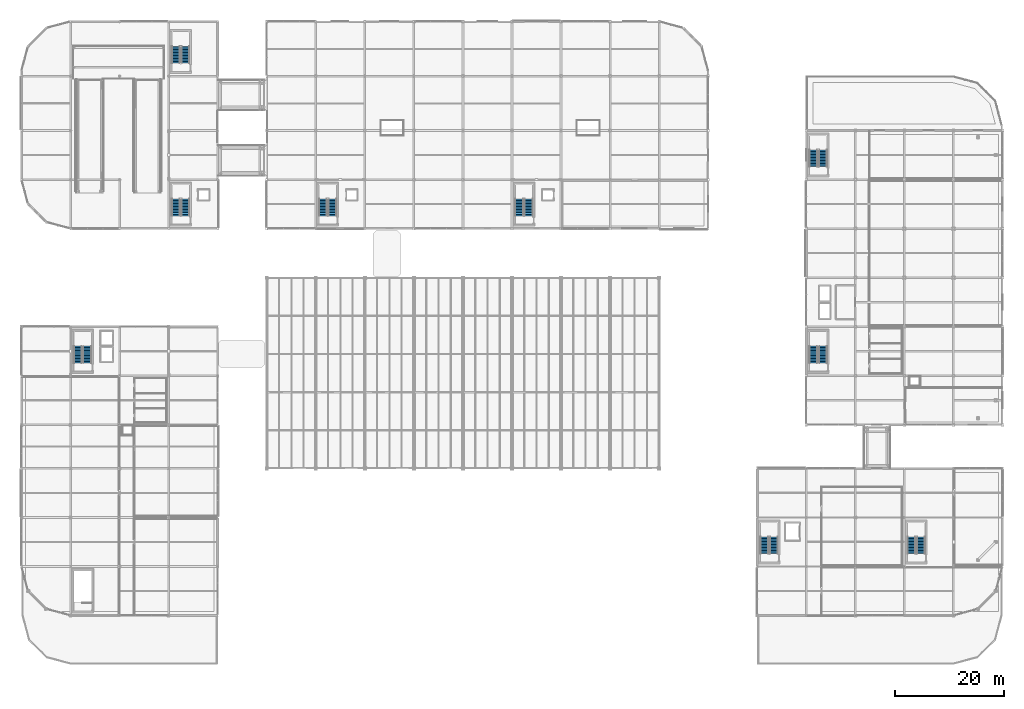
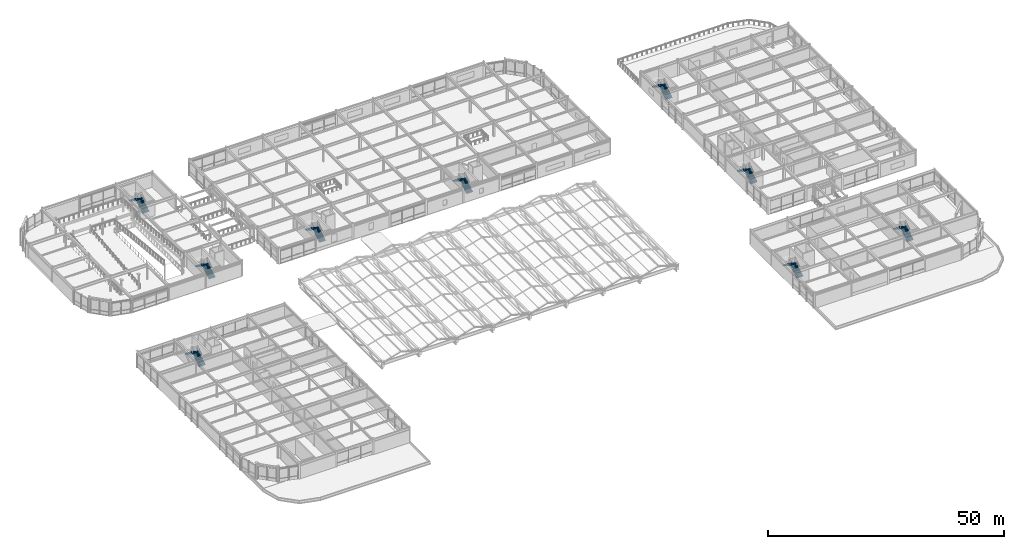
# One storey, part 84 of 108: 18 stair flights, 9 elements without a shape of their own.
"""IFC4 building model written with IfcOpenShell, lengths in metres."""

from ifc_helpers import new_model, si_unit, direction, frame, origin, place, context, subcontext, project, spatial, polyline, outline, extrude, material, type_object, element, aggregate, save


model = new_model("IFC4")

# Units and contexts
model_context = context("Model", 3, precision=1e-05, world=origin(), true_north=direction((0.0, 1.0)))
body_context = subcontext(model_context, "Body", "Model", "MODEL_VIEW")
ifc_project = project(units=[si_unit("LENGTHUNIT", "METRE"), si_unit("AREAUNIT", "SQUARE_METRE"), si_unit("VOLUMEUNIT", "CUBIC_METRE"), si_unit("PLANEANGLEUNIT", "RADIAN"), si_unit("MASSUNIT", "GRAM", prefix="KILO")], contexts=[model_context])

# Site, building, storey
site_placement = place(None, origin())
site = spatial("IfcSite", under=ifc_project, at=site_placement, CompositionType="ELEMENT")
building_placement = place(site_placement, origin())
building = spatial("IfcBuilding", under=site, at=building_placement, Name="Suzunagisa Mobility Hub", CompositionType="ELEMENT")
storey_placement = place(building_placement, frame((0.0, 0.0, 9.300048828125)))
storey = spatial("IfcBuildingStorey", under=building, at=storey_placement, Name="L02", CompositionType="ELEMENT", Elevation=9.300048828125)

# Stair, stair flights
ifc_material = material(Name="Concrete C35/45", Category="concrete")
stair_type_1 = type_object("IfcStairType", Name="Dog-Leg Core Escape Stair ST-01 W1560", PredefinedType="HALF_TURN_STAIR", material=ifc_material)
stair_1_placement = place(storey_placement, origin())
stair_1 = element("IfcStair", 1, at=stair_1_placement, inside=storey, type_object=stair_type_1, Name="L02 Core C1 Escape Stair ST-01", PredefinedType="HALF_TURN_STAIR")
stair_flight_type_1 = type_object("IfcStairFlightType", Name="Dog-Leg Core Stair Flight ST-01-F W1560", PredefinedType="STRAIGHT", material=ifc_material)
stair_flight_1_placement = place(storey_placement, frame((12.06005859375, 55.360107421875, 0.0), z_axis=(0.0, 0.0, 1.0), x_axis=(0.0, 1.0, 0.0)))
stair_flight_1 = element("IfcStairFlight", 2, at=stair_flight_1_placement, type_object=stair_flight_type_1, Name="ST-01 flight 1", NumberOfRisers=12, NumberOfTreads=11, PredefinedType="STRAIGHT", RiserHeight=0.175, TreadLength=0.28, context=body_context, shape_type="SweptSolid", body=[
    extrude(outline(polyline([(0.0, 0.0), (0.0, 0.175048828125), (0.280029296875, 0.175048828125), (0.280029296875, 0.35009765625), (0.56005859375, 0.35009765625), (0.56005859375, 0.52490234375), (0.840087890625, 0.52490234375), (0.840087890625, 0.699951171875), (1.1201171875, 0.699951171875), (1.1201171875, 0.875), (1.39990234375, 0.875), (1.39990234375, 1.050048828125), (1.679931640625, 1.050048828125), (1.679931640625, 1.22509765625), (1.9599609375, 1.22509765625), (1.9599609375, 1.39990234375), (2.239990234375, 1.39990234375), (2.239990234375, 1.574951171875), (2.52001953125, 1.574951171875), (2.52001953125, 1.75), (2.800048828125, 1.75), (2.800048828125, 1.925048828125), (3.080078125, 1.925048828125), (3.080078125, 2.10009765625), (3.080078125, 1.736328125), (0.3017578125, 0.0), (0.0, 0.0)])), frame((0.0, 0.780029296875, 0.0), z_axis=(0.0, -1.0, 0.0), x_axis=(1.0, 0.0, 0.0)), (0.0, 0.0, 1.0), 1.56005859375),
])
stair_flight_2_placement = place(storey_placement, frame((10.340087890625, 58.43994140625, 2.099853515625), z_axis=(0.0, 0.0, 1.0), x_axis=(0.0, -1.0, 0.0)))
stair_flight_2 = element("IfcStairFlight", 3, at=stair_flight_2_placement, type_object=stair_flight_type_1, Name="ST-01 flight 2", NumberOfRisers=12, NumberOfTreads=11, PredefinedType="STRAIGHT", RiserHeight=0.175, TreadLength=0.28, context=body_context, shape_type="SweptSolid", body=[
    extrude(outline(polyline([(0.0, 0.0), (0.0, 0.175048828125), (0.280029296875, 0.175048828125), (0.280029296875, 0.35009765625), (0.56005859375, 0.35009765625), (0.56005859375, 0.52490234375), (0.840087890625, 0.52490234375), (0.840087890625, 0.699951171875), (1.1201171875, 0.699951171875), (1.1201171875, 0.875), (1.39990234375, 0.875), (1.39990234375, 1.050048828125), (1.679931640625, 1.050048828125), (1.679931640625, 1.22509765625), (1.9599609375, 1.22509765625), (1.9599609375, 1.39990234375), (2.239990234375, 1.39990234375), (2.239990234375, 1.574951171875), (2.52001953125, 1.574951171875), (2.52001953125, 1.75), (2.800048828125, 1.75), (2.800048828125, 1.925048828125), (3.080078125, 1.925048828125), (3.080078125, 2.10009765625), (3.080078125, 1.736328125), (0.3017578125, 0.0), (0.0, 0.0)])), frame((0.0, 0.780029296875, 0.0), z_axis=(0.0, -1.0, 0.0), x_axis=(1.0, 0.0, 0.0)), (0.0, 0.0, 1.0), 1.56005859375),
])
aggregate(stair_1, [stair_flight_1, stair_flight_2])

stair_type_2 = type_object("IfcStairType", Name="Dog-Leg Core Escape Stair ST-05 W1560", PredefinedType="HALF_TURN_STAIR", material=ifc_material)
stair_2_placement = place(storey_placement, origin())
stair_2 = element("IfcStair", 4, at=stair_2_placement, inside=storey, type_object=stair_type_2, Name="L02 Core C6 Escape Stair ST-05", PredefinedType="HALF_TURN_STAIR")
stair_flight_type_2 = type_object("IfcStairFlightType", Name="Dog-Leg Core Stair Flight ST-05-F W1560", PredefinedType="STRAIGHT", material=ifc_material)
stair_flight_3_placement = place(storey_placement, frame((30.06005859375, 82.360107421875, 0.0), z_axis=(0.0, 0.0, 1.0), x_axis=(0.0, 1.0, 0.0)))
stair_flight_3 = element("IfcStairFlight", 5, at=stair_flight_3_placement, type_object=stair_flight_type_2, Name="ST-05 flight 1", NumberOfRisers=12, NumberOfTreads=11, PredefinedType="STRAIGHT", RiserHeight=0.175, TreadLength=0.28, context=body_context, shape_type="SweptSolid", body=[
    extrude(outline(polyline([(0.0, 0.0), (0.0, 0.175048828125), (0.280029296875, 0.175048828125), (0.280029296875, 0.35009765625), (0.56005859375, 0.35009765625), (0.56005859375, 0.52490234375), (0.840087890625, 0.52490234375), (0.840087890625, 0.699951171875), (1.1201171875, 0.699951171875), (1.1201171875, 0.875), (1.39990234375, 0.875), (1.39990234375, 1.050048828125), (1.679931640625, 1.050048828125), (1.679931640625, 1.22509765625), (1.9599609375, 1.22509765625), (1.9599609375, 1.39990234375), (2.239990234375, 1.39990234375), (2.239990234375, 1.574951171875), (2.52001953125, 1.574951171875), (2.52001953125, 1.75), (2.800048828125, 1.75), (2.800048828125, 1.925048828125), (3.080078125, 1.925048828125), (3.080078125, 2.10009765625), (3.080078125, 1.736328125), (0.3017578125, 0.0), (0.0, 0.0)])), frame((0.0, 0.780029296875, 0.0), z_axis=(0.0, -1.0, 0.0), x_axis=(1.0, 0.0, 0.0)), (0.0, 0.0, 1.0), 1.56005859375),
])
stair_flight_4_placement = place(storey_placement, frame((28.340087890625, 85.43994140625, 2.099853515625), z_axis=(0.0, 0.0, 1.0), x_axis=(0.0, -1.0, 0.0)))
stair_flight_4 = element("IfcStairFlight", 6, at=stair_flight_4_placement, type_object=stair_flight_type_2, Name="ST-05 flight 2", NumberOfRisers=12, NumberOfTreads=11, PredefinedType="STRAIGHT", RiserHeight=0.175, TreadLength=0.28, context=body_context, shape_type="SweptSolid", body=[
    extrude(outline(polyline([(0.0, 0.0), (0.0, 0.175048828125), (0.280029296875, 0.175048828125), (0.280029296875, 0.35009765625), (0.56005859375, 0.35009765625), (0.56005859375, 0.52490234375), (0.840087890625, 0.52490234375), (0.840087890625, 0.699951171875), (1.1201171875, 0.699951171875), (1.1201171875, 0.875), (1.39990234375, 0.875), (1.39990234375, 1.050048828125), (1.679931640625, 1.050048828125), (1.679931640625, 1.22509765625), (1.9599609375, 1.22509765625), (1.9599609375, 1.39990234375), (2.239990234375, 1.39990234375), (2.239990234375, 1.574951171875), (2.52001953125, 1.574951171875), (2.52001953125, 1.75), (2.800048828125, 1.75), (2.800048828125, 1.925048828125), (3.080078125, 1.925048828125), (3.080078125, 2.10009765625), (3.080078125, 1.736328125), (0.3017578125, 0.0), (0.0, 0.0)])), frame((0.0, 0.780029296875, 0.0), z_axis=(0.0, -1.0, 0.0), x_axis=(1.0, 0.0, 0.0)), (0.0, 0.0, 1.0), 1.56005859375),
])
aggregate(stair_2, [stair_flight_3, stair_flight_4])

stair_type_3 = type_object("IfcStairType", Name="Dog-Leg Core Escape Stair ST-06 W1560", PredefinedType="HALF_TURN_STAIR", material=ifc_material)
stair_3_placement = place(storey_placement, origin())
stair_3 = element("IfcStair", 7, at=stair_3_placement, inside=storey, type_object=stair_type_3, Name="L02 Core C6B Escape Stair ST-06", PredefinedType="HALF_TURN_STAIR")
stair_flight_type_3 = type_object("IfcStairFlightType", Name="Dog-Leg Core Stair Flight ST-06-F W1560", PredefinedType="STRAIGHT", material=ifc_material)
stair_flight_5_placement = place(storey_placement, frame((30.06005859375, 110.360107421875, 0.0), z_axis=(0.0, 0.0, 1.0), x_axis=(0.0, 1.0, 0.0)))
stair_flight_5 = element("IfcStairFlight", 8, at=stair_flight_5_placement, type_object=stair_flight_type_3, Name="ST-06 flight 1", NumberOfRisers=12, NumberOfTreads=11, PredefinedType="STRAIGHT", RiserHeight=0.175, TreadLength=0.28, context=body_context, shape_type="SweptSolid", body=[
    extrude(outline(polyline([(0.0, 0.0), (0.0, 0.175048828125), (0.280029296875, 0.175048828125), (0.280029296875, 0.35009765625), (0.56005859375, 0.35009765625), (0.56005859375, 0.52490234375), (0.840087890625, 0.52490234375), (0.840087890625, 0.699951171875), (1.1201171875, 0.699951171875), (1.1201171875, 0.875), (1.39990234375, 0.875), (1.39990234375, 1.050048828125), (1.679931640625, 1.050048828125), (1.679931640625, 1.22509765625), (1.9599609375, 1.22509765625), (1.9599609375, 1.39990234375), (2.239990234375, 1.39990234375), (2.239990234375, 1.574951171875), (2.52001953125, 1.574951171875), (2.52001953125, 1.75), (2.800048828125, 1.75), (2.800048828125, 1.925048828125), (3.080078125, 1.925048828125), (3.080078125, 2.10009765625), (3.080078125, 1.736328125), (0.3017578125, 0.0), (0.0, 0.0)])), frame((0.0, 0.780029296875, 0.0), z_axis=(0.0, -1.0, 0.0), x_axis=(1.0, 0.0, 0.0)), (0.0, 0.0, 1.0), 1.56005859375),
])
stair_flight_6_placement = place(storey_placement, frame((28.340087890625, 113.43994140625, 2.099853515625), z_axis=(0.0, 0.0, 1.0), x_axis=(0.0, -1.0, 0.0)))
stair_flight_6 = element("IfcStairFlight", 9, at=stair_flight_6_placement, type_object=stair_flight_type_3, Name="ST-06 flight 2", NumberOfRisers=12, NumberOfTreads=11, PredefinedType="STRAIGHT", RiserHeight=0.175, TreadLength=0.28, context=body_context, shape_type="SweptSolid", body=[
    extrude(outline(polyline([(0.0, 0.0), (0.0, 0.175048828125), (0.280029296875, 0.175048828125), (0.280029296875, 0.35009765625), (0.56005859375, 0.35009765625), (0.56005859375, 0.52490234375), (0.840087890625, 0.52490234375), (0.840087890625, 0.699951171875), (1.1201171875, 0.699951171875), (1.1201171875, 0.875), (1.39990234375, 0.875), (1.39990234375, 1.050048828125), (1.679931640625, 1.050048828125), (1.679931640625, 1.22509765625), (1.9599609375, 1.22509765625), (1.9599609375, 1.39990234375), (2.239990234375, 1.39990234375), (2.239990234375, 1.574951171875), (2.52001953125, 1.574951171875), (2.52001953125, 1.75), (2.800048828125, 1.75), (2.800048828125, 1.925048828125), (3.080078125, 1.925048828125), (3.080078125, 2.10009765625), (3.080078125, 1.736328125), (0.3017578125, 0.0), (0.0, 0.0)])), frame((0.0, 0.780029296875, 0.0), z_axis=(0.0, -1.0, 0.0), x_axis=(1.0, 0.0, 0.0)), (0.0, 0.0, 1.0), 1.56005859375),
])
aggregate(stair_3, [stair_flight_5, stair_flight_6])

stair_type_4 = type_object("IfcStairType", Name="Dog-Leg Core Escape Stair ST-07 W1560", PredefinedType="HALF_TURN_STAIR", material=ifc_material)
stair_4_placement = place(storey_placement, origin())
stair_4 = element("IfcStair", 10, at=stair_4_placement, inside=storey, type_object=stair_type_4, Name="L02 Core C3 Escape Stair ST-07", PredefinedType="HALF_TURN_STAIR")
stair_flight_type_4 = type_object("IfcStairFlightType", Name="Dog-Leg Core Stair Flight ST-07-F W1560", PredefinedType="STRAIGHT", material=ifc_material)
stair_flight_7_placement = place(storey_placement, frame((57.06005859375, 82.360107421875, 0.0), z_axis=(0.0, 0.0, 1.0), x_axis=(0.0, 1.0, 0.0)))
stair_flight_7 = element("IfcStairFlight", 11, at=stair_flight_7_placement, type_object=stair_flight_type_4, Name="ST-07 flight 1", NumberOfRisers=12, NumberOfTreads=11, PredefinedType="STRAIGHT", RiserHeight=0.175, TreadLength=0.28, context=body_context, shape_type="SweptSolid", body=[
    extrude(outline(polyline([(0.0, 0.0), (0.0, 0.175048828125), (0.280029296875, 0.175048828125), (0.280029296875, 0.35009765625), (0.56005859375, 0.35009765625), (0.56005859375, 0.52490234375), (0.840087890625, 0.52490234375), (0.840087890625, 0.699951171875), (1.1201171875, 0.699951171875), (1.1201171875, 0.875), (1.39990234375, 0.875), (1.39990234375, 1.050048828125), (1.679931640625, 1.050048828125), (1.679931640625, 1.22509765625), (1.9599609375, 1.22509765625), (1.9599609375, 1.39990234375), (2.239990234375, 1.39990234375), (2.239990234375, 1.574951171875), (2.52001953125, 1.574951171875), (2.52001953125, 1.75), (2.800048828125, 1.75), (2.800048828125, 1.925048828125), (3.080078125, 1.925048828125), (3.080078125, 2.10009765625), (3.080078125, 1.736328125), (0.3017578125, 0.0), (0.0, 0.0)])), frame((0.0, 0.780029296875, 0.0), z_axis=(0.0, -1.0, 0.0), x_axis=(1.0, 0.0, 0.0)), (0.0, 0.0, 1.0), 1.56005859375),
])
stair_flight_8_placement = place(storey_placement, frame((55.340087890625, 85.43994140625, 2.099853515625), z_axis=(0.0, 0.0, 1.0), x_axis=(0.0, -1.0, 0.0)))
stair_flight_8 = element("IfcStairFlight", 12, at=stair_flight_8_placement, type_object=stair_flight_type_4, Name="ST-07 flight 2", NumberOfRisers=12, NumberOfTreads=11, PredefinedType="STRAIGHT", RiserHeight=0.175, TreadLength=0.28, context=body_context, shape_type="SweptSolid", body=[
    extrude(outline(polyline([(0.0, 0.0), (0.0, 0.175048828125), (0.280029296875, 0.175048828125), (0.280029296875, 0.35009765625), (0.56005859375, 0.35009765625), (0.56005859375, 0.52490234375), (0.840087890625, 0.52490234375), (0.840087890625, 0.699951171875), (1.1201171875, 0.699951171875), (1.1201171875, 0.875), (1.39990234375, 0.875), (1.39990234375, 1.050048828125), (1.679931640625, 1.050048828125), (1.679931640625, 1.22509765625), (1.9599609375, 1.22509765625), (1.9599609375, 1.39990234375), (2.239990234375, 1.39990234375), (2.239990234375, 1.574951171875), (2.52001953125, 1.574951171875), (2.52001953125, 1.75), (2.800048828125, 1.75), (2.800048828125, 1.925048828125), (3.080078125, 1.925048828125), (3.080078125, 2.10009765625), (3.080078125, 1.736328125), (0.3017578125, 0.0), (0.0, 0.0)])), frame((0.0, 0.780029296875, 0.0), z_axis=(0.0, -1.0, 0.0), x_axis=(1.0, 0.0, 0.0)), (0.0, 0.0, 1.0), 1.56005859375),
])
aggregate(stair_4, [stair_flight_7, stair_flight_8])

stair_type_5 = type_object("IfcStairType", Name="Dog-Leg Core Escape Stair ST-08 W1560", PredefinedType="HALF_TURN_STAIR", material=ifc_material)
stair_5_placement = place(storey_placement, origin())
stair_5 = element("IfcStair", 13, at=stair_5_placement, inside=storey, type_object=stair_type_5, Name="L02 Core C4 Escape Stair ST-08", PredefinedType="HALF_TURN_STAIR")
stair_flight_type_5 = type_object("IfcStairFlightType", Name="Dog-Leg Core Stair Flight ST-08-F W1560", PredefinedType="STRAIGHT", material=ifc_material)
stair_flight_9_placement = place(storey_placement, frame((93.06005859375, 82.360107421875, 0.0), z_axis=(0.0, 0.0, 1.0), x_axis=(0.0, 1.0, 0.0)))
stair_flight_9 = element("IfcStairFlight", 14, at=stair_flight_9_placement, type_object=stair_flight_type_5, Name="ST-08 flight 1", NumberOfRisers=12, NumberOfTreads=11, PredefinedType="STRAIGHT", RiserHeight=0.175, TreadLength=0.28, context=body_context, shape_type="SweptSolid", body=[
    extrude(outline(polyline([(0.0, 0.0), (0.0, 0.175048828125), (0.280029296875, 0.175048828125), (0.280029296875, 0.35009765625), (0.56005859375, 0.35009765625), (0.56005859375, 0.52490234375), (0.840087890625, 0.52490234375), (0.840087890625, 0.699951171875), (1.1201171875, 0.699951171875), (1.1201171875, 0.875), (1.39990234375, 0.875), (1.39990234375, 1.050048828125), (1.679931640625, 1.050048828125), (1.679931640625, 1.22509765625), (1.9599609375, 1.22509765625), (1.9599609375, 1.39990234375), (2.239990234375, 1.39990234375), (2.239990234375, 1.574951171875), (2.52001953125, 1.574951171875), (2.52001953125, 1.75), (2.800048828125, 1.75), (2.800048828125, 1.925048828125), (3.080078125, 1.925048828125), (3.080078125, 2.10009765625), (3.080078125, 1.736328125), (0.3017578125, 0.0), (0.0, 0.0)])), frame((0.0, 0.780029296875, 0.0), z_axis=(0.0, -1.0, 0.0), x_axis=(1.0, 0.0, 0.0)), (0.0, 0.0, 1.0), 1.56005859375),
])
stair_flight_10_placement = place(storey_placement, frame((91.340087890625, 85.43994140625, 2.099853515625), z_axis=(0.0, 0.0, 1.0), x_axis=(0.0, -1.0, 0.0)))
stair_flight_10 = element("IfcStairFlight", 15, at=stair_flight_10_placement, type_object=stair_flight_type_5, Name="ST-08 flight 2", NumberOfRisers=12, NumberOfTreads=11, PredefinedType="STRAIGHT", RiserHeight=0.175, TreadLength=0.28, context=body_context, shape_type="SweptSolid", body=[
    extrude(outline(polyline([(0.0, 0.0), (0.0, 0.175048828125), (0.280029296875, 0.175048828125), (0.280029296875, 0.35009765625), (0.56005859375, 0.35009765625), (0.56005859375, 0.52490234375), (0.840087890625, 0.52490234375), (0.840087890625, 0.699951171875), (1.1201171875, 0.699951171875), (1.1201171875, 0.875), (1.39990234375, 0.875), (1.39990234375, 1.050048828125), (1.679931640625, 1.050048828125), (1.679931640625, 1.22509765625), (1.9599609375, 1.22509765625), (1.9599609375, 1.39990234375), (2.239990234375, 1.39990234375), (2.239990234375, 1.574951171875), (2.52001953125, 1.574951171875), (2.52001953125, 1.75), (2.800048828125, 1.75), (2.800048828125, 1.925048828125), (3.080078125, 1.925048828125), (3.080078125, 2.10009765625), (3.080078125, 1.736328125), (0.3017578125, 0.0), (0.0, 0.0)])), frame((0.0, 0.780029296875, 0.0), z_axis=(0.0, -1.0, 0.0), x_axis=(1.0, 0.0, 0.0)), (0.0, 0.0, 1.0), 1.56005859375),
])
aggregate(stair_5, [stair_flight_9, stair_flight_10])

stair_type_6 = type_object("IfcStairType", Name="Dog-Leg Core Escape Stair ST-09 W1560", PredefinedType="HALF_TURN_STAIR", material=ifc_material)
stair_6_placement = place(storey_placement, origin())
stair_6 = element("IfcStair", 16, at=stair_6_placement, inside=storey, type_object=stair_type_6, Name="L02 Core C7 Escape Stair ST-09", PredefinedType="HALF_TURN_STAIR")
stair_flight_type_6 = type_object("IfcStairFlightType", Name="Dog-Leg Core Stair Flight ST-09-F W1560", PredefinedType="STRAIGHT", material=ifc_material)
stair_flight_11_placement = place(storey_placement, frame((138.06005859375, 20.360107421875, 0.0), z_axis=(0.0, 0.0, 1.0), x_axis=(0.0, 1.0, 0.0)))
stair_flight_11 = element("IfcStairFlight", 17, at=stair_flight_11_placement, type_object=stair_flight_type_6, Name="ST-09 flight 1", NumberOfRisers=12, NumberOfTreads=11, PredefinedType="STRAIGHT", RiserHeight=0.175, TreadLength=0.28, context=body_context, shape_type="SweptSolid", body=[
    extrude(outline(polyline([(0.0, 0.0), (0.0, 0.175048828125), (0.280029296875, 0.175048828125), (0.280029296875, 0.35009765625), (0.56005859375, 0.35009765625), (0.56005859375, 0.52490234375), (0.840087890625, 0.52490234375), (0.840087890625, 0.699951171875), (1.1201171875, 0.699951171875), (1.1201171875, 0.875), (1.39990234375, 0.875), (1.39990234375, 1.050048828125), (1.679931640625, 1.050048828125), (1.679931640625, 1.22509765625), (1.9599609375, 1.22509765625), (1.9599609375, 1.39990234375), (2.239990234375, 1.39990234375), (2.239990234375, 1.574951171875), (2.52001953125, 1.574951171875), (2.52001953125, 1.75), (2.800048828125, 1.75), (2.800048828125, 1.925048828125), (3.080078125, 1.925048828125), (3.080078125, 2.10009765625), (3.080078125, 1.736328125), (0.3017578125, 0.0), (0.0, 0.0)])), frame((0.0, 0.780029296875, 0.0), z_axis=(0.0, -1.0, 0.0), x_axis=(1.0, 0.0, 0.0)), (0.0, 0.0, 1.0), 1.56005859375),
])
stair_flight_12_placement = place(storey_placement, frame((136.340087890625, 23.43994140625, 2.099853515625), z_axis=(0.0, 0.0, 1.0), x_axis=(0.0, -1.0, 0.0)))
stair_flight_12 = element("IfcStairFlight", 18, at=stair_flight_12_placement, type_object=stair_flight_type_6, Name="ST-09 flight 2", NumberOfRisers=12, NumberOfTreads=11, PredefinedType="STRAIGHT", RiserHeight=0.175, TreadLength=0.28, context=body_context, shape_type="SweptSolid", body=[
    extrude(outline(polyline([(0.0, 0.0), (0.0, 0.175048828125), (0.280029296875, 0.175048828125), (0.280029296875, 0.35009765625), (0.56005859375, 0.35009765625), (0.56005859375, 0.52490234375), (0.840087890625, 0.52490234375), (0.840087890625, 0.699951171875), (1.1201171875, 0.699951171875), (1.1201171875, 0.875), (1.39990234375, 0.875), (1.39990234375, 1.050048828125), (1.679931640625, 1.050048828125), (1.679931640625, 1.22509765625), (1.9599609375, 1.22509765625), (1.9599609375, 1.39990234375), (2.239990234375, 1.39990234375), (2.239990234375, 1.574951171875), (2.52001953125, 1.574951171875), (2.52001953125, 1.75), (2.800048828125, 1.75), (2.800048828125, 1.925048828125), (3.080078125, 1.925048828125), (3.080078125, 2.10009765625), (3.080078125, 1.736328125), (0.3017578125, 0.0), (0.0, 0.0)])), frame((0.0, 0.780029296875, 0.0), z_axis=(0.0, -1.0, 0.0), x_axis=(1.0, 0.0, 0.0)), (0.0, 0.0, 1.0), 1.56005859375),
])
aggregate(stair_6, [stair_flight_11, stair_flight_12])

stair_type_7 = type_object("IfcStairType", Name="Dog-Leg Core Escape Stair ST-10 W1560", PredefinedType="HALF_TURN_STAIR", material=ifc_material)
stair_7_placement = place(storey_placement, origin())
stair_7 = element("IfcStair", 19, at=stair_7_placement, inside=storey, type_object=stair_type_7, Name="L02 Core C7B Escape Stair ST-10", PredefinedType="HALF_TURN_STAIR")
stair_flight_type_7 = type_object("IfcStairFlightType", Name="Dog-Leg Core Stair Flight ST-10-F W1560", PredefinedType="STRAIGHT", material=ifc_material)
stair_flight_13_placement = place(storey_placement, frame((165.06005859375, 20.360107421875, 0.0), z_axis=(0.0, 0.0, 1.0), x_axis=(0.0, 1.0, 0.0)))
stair_flight_13 = element("IfcStairFlight", 20, at=stair_flight_13_placement, type_object=stair_flight_type_7, Name="ST-10 flight 1", NumberOfRisers=12, NumberOfTreads=11, PredefinedType="STRAIGHT", RiserHeight=0.175, TreadLength=0.28, context=body_context, shape_type="SweptSolid", body=[
    extrude(outline(polyline([(0.0, 0.0), (0.0, 0.175048828125), (0.280029296875, 0.175048828125), (0.280029296875, 0.35009765625), (0.56005859375, 0.35009765625), (0.56005859375, 0.52490234375), (0.840087890625, 0.52490234375), (0.840087890625, 0.699951171875), (1.1201171875, 0.699951171875), (1.1201171875, 0.875), (1.39990234375, 0.875), (1.39990234375, 1.050048828125), (1.679931640625, 1.050048828125), (1.679931640625, 1.22509765625), (1.9599609375, 1.22509765625), (1.9599609375, 1.39990234375), (2.239990234375, 1.39990234375), (2.239990234375, 1.574951171875), (2.52001953125, 1.574951171875), (2.52001953125, 1.75), (2.800048828125, 1.75), (2.800048828125, 1.925048828125), (3.080078125, 1.925048828125), (3.080078125, 2.10009765625), (3.080078125, 1.736328125), (0.3017578125, 0.0), (0.0, 0.0)])), frame((0.0, 0.780029296875, 0.0), z_axis=(0.0, -1.0, 0.0), x_axis=(1.0, 0.0, 0.0)), (0.0, 0.0, 1.0), 1.56005859375),
])
stair_flight_14_placement = place(storey_placement, frame((163.340087890625, 23.43994140625, 2.099853515625), z_axis=(0.0, 0.0, 1.0), x_axis=(0.0, -1.0, 0.0)))
stair_flight_14 = element("IfcStairFlight", 21, at=stair_flight_14_placement, type_object=stair_flight_type_7, Name="ST-10 flight 2", NumberOfRisers=12, NumberOfTreads=11, PredefinedType="STRAIGHT", RiserHeight=0.175, TreadLength=0.28, context=body_context, shape_type="SweptSolid", body=[
    extrude(outline(polyline([(0.0, 0.0), (0.0, 0.175048828125), (0.280029296875, 0.175048828125), (0.280029296875, 0.35009765625), (0.56005859375, 0.35009765625), (0.56005859375, 0.52490234375), (0.840087890625, 0.52490234375), (0.840087890625, 0.699951171875), (1.1201171875, 0.699951171875), (1.1201171875, 0.875), (1.39990234375, 0.875), (1.39990234375, 1.050048828125), (1.679931640625, 1.050048828125), (1.679931640625, 1.22509765625), (1.9599609375, 1.22509765625), (1.9599609375, 1.39990234375), (2.239990234375, 1.39990234375), (2.239990234375, 1.574951171875), (2.52001953125, 1.574951171875), (2.52001953125, 1.75), (2.800048828125, 1.75), (2.800048828125, 1.925048828125), (3.080078125, 1.925048828125), (3.080078125, 2.10009765625), (3.080078125, 1.736328125), (0.3017578125, 0.0), (0.0, 0.0)])), frame((0.0, 0.780029296875, 0.0), z_axis=(0.0, -1.0, 0.0), x_axis=(1.0, 0.0, 0.0)), (0.0, 0.0, 1.0), 1.56005859375),
])
aggregate(stair_7, [stair_flight_13, stair_flight_14])

stair_type_8 = type_object("IfcStairType", Name="Dog-Leg Core Escape Stair ST-11 W1560", PredefinedType="HALF_TURN_STAIR", material=ifc_material)
stair_8_placement = place(storey_placement, origin())
stair_8 = element("IfcStair", 22, at=stair_8_placement, inside=storey, type_object=stair_type_8, Name="L02 Core C5 Escape Stair ST-11", PredefinedType="HALF_TURN_STAIR")
stair_flight_type_8 = type_object("IfcStairFlightType", Name="Dog-Leg Core Stair Flight ST-11-F W1560", PredefinedType="STRAIGHT", material=ifc_material)
stair_flight_15_placement = place(storey_placement, frame((147.06005859375, 55.360107421875, 0.0), z_axis=(0.0, 0.0, 1.0), x_axis=(0.0, 1.0, 0.0)))
stair_flight_15 = element("IfcStairFlight", 23, at=stair_flight_15_placement, type_object=stair_flight_type_8, Name="ST-11 flight 1", NumberOfRisers=12, NumberOfTreads=11, PredefinedType="STRAIGHT", RiserHeight=0.175, TreadLength=0.28, context=body_context, shape_type="SweptSolid", body=[
    extrude(outline(polyline([(0.0, 0.0), (0.0, 0.175048828125), (0.280029296875, 0.175048828125), (0.280029296875, 0.35009765625), (0.56005859375, 0.35009765625), (0.56005859375, 0.52490234375), (0.840087890625, 0.52490234375), (0.840087890625, 0.699951171875), (1.1201171875, 0.699951171875), (1.1201171875, 0.875), (1.39990234375, 0.875), (1.39990234375, 1.050048828125), (1.679931640625, 1.050048828125), (1.679931640625, 1.22509765625), (1.9599609375, 1.22509765625), (1.9599609375, 1.39990234375), (2.239990234375, 1.39990234375), (2.239990234375, 1.574951171875), (2.52001953125, 1.574951171875), (2.52001953125, 1.75), (2.800048828125, 1.75), (2.800048828125, 1.925048828125), (3.080078125, 1.925048828125), (3.080078125, 2.10009765625), (3.080078125, 1.736328125), (0.3017578125, 0.0), (0.0, 0.0)])), frame((0.0, 0.780029296875, 0.0), z_axis=(0.0, -1.0, 0.0), x_axis=(1.0, 0.0, 0.0)), (0.0, 0.0, 1.0), 1.56005859375),
])
stair_flight_16_placement = place(storey_placement, frame((145.340087890625, 58.43994140625, 2.099853515625), z_axis=(0.0, 0.0, 1.0), x_axis=(0.0, -1.0, 0.0)))
stair_flight_16 = element("IfcStairFlight", 24, at=stair_flight_16_placement, type_object=stair_flight_type_8, Name="ST-11 flight 2", NumberOfRisers=12, NumberOfTreads=11, PredefinedType="STRAIGHT", RiserHeight=0.175, TreadLength=0.28, context=body_context, shape_type="SweptSolid", body=[
    extrude(outline(polyline([(0.0, 0.0), (0.0, 0.175048828125), (0.280029296875, 0.175048828125), (0.280029296875, 0.35009765625), (0.56005859375, 0.35009765625), (0.56005859375, 0.52490234375), (0.840087890625, 0.52490234375), (0.840087890625, 0.699951171875), (1.1201171875, 0.699951171875), (1.1201171875, 0.875), (1.39990234375, 0.875), (1.39990234375, 1.050048828125), (1.679931640625, 1.050048828125), (1.679931640625, 1.22509765625), (1.9599609375, 1.22509765625), (1.9599609375, 1.39990234375), (2.239990234375, 1.39990234375), (2.239990234375, 1.574951171875), (2.52001953125, 1.574951171875), (2.52001953125, 1.75), (2.800048828125, 1.75), (2.800048828125, 1.925048828125), (3.080078125, 1.925048828125), (3.080078125, 2.10009765625), (3.080078125, 1.736328125), (0.3017578125, 0.0), (0.0, 0.0)])), frame((0.0, 0.780029296875, 0.0), z_axis=(0.0, -1.0, 0.0), x_axis=(1.0, 0.0, 0.0)), (0.0, 0.0, 1.0), 1.56005859375),
])
aggregate(stair_8, [stair_flight_15, stair_flight_16])

stair_type_9 = type_object("IfcStairType", Name="Dog-Leg Core Escape Stair ST-12 W1560", PredefinedType="HALF_TURN_STAIR", material=ifc_material)
stair_9_placement = place(storey_placement, origin())
stair_9 = element("IfcStair", 25, at=stair_9_placement, inside=storey, type_object=stair_type_9, Name="L02 Core C5B Escape Stair ST-12", PredefinedType="HALF_TURN_STAIR")
stair_flight_type_9 = type_object("IfcStairFlightType", Name="Dog-Leg Core Stair Flight ST-12-F W1560", PredefinedType="STRAIGHT", material=ifc_material)
stair_flight_17_placement = place(storey_placement, frame((147.06005859375, 91.360107421875, 0.0), z_axis=(0.0, 0.0, 1.0), x_axis=(0.0, 1.0, 0.0)))
stair_flight_17 = element("IfcStairFlight", 26, at=stair_flight_17_placement, type_object=stair_flight_type_9, Name="ST-12 flight 1", NumberOfRisers=12, NumberOfTreads=11, PredefinedType="STRAIGHT", RiserHeight=0.175, TreadLength=0.28, context=body_context, shape_type="SweptSolid", body=[
    extrude(outline(polyline([(0.0, 0.0), (0.0, 0.175048828125), (0.280029296875, 0.175048828125), (0.280029296875, 0.35009765625), (0.56005859375, 0.35009765625), (0.56005859375, 0.52490234375), (0.840087890625, 0.52490234375), (0.840087890625, 0.699951171875), (1.1201171875, 0.699951171875), (1.1201171875, 0.875), (1.39990234375, 0.875), (1.39990234375, 1.050048828125), (1.679931640625, 1.050048828125), (1.679931640625, 1.22509765625), (1.9599609375, 1.22509765625), (1.9599609375, 1.39990234375), (2.239990234375, 1.39990234375), (2.239990234375, 1.574951171875), (2.52001953125, 1.574951171875), (2.52001953125, 1.75), (2.800048828125, 1.75), (2.800048828125, 1.925048828125), (3.080078125, 1.925048828125), (3.080078125, 2.10009765625), (3.080078125, 1.736328125), (0.3017578125, 0.0), (0.0, 0.0)])), frame((0.0, 0.780029296875, 0.0), z_axis=(0.0, -1.0, 0.0), x_axis=(1.0, 0.0, 0.0)), (0.0, 0.0, 1.0), 1.56005859375),
])
stair_flight_18_placement = place(storey_placement, frame((145.340087890625, 94.43994140625, 2.099853515625), z_axis=(0.0, 0.0, 1.0), x_axis=(0.0, -1.0, 0.0)))
stair_flight_18 = element("IfcStairFlight", 27, at=stair_flight_18_placement, type_object=stair_flight_type_9, Name="ST-12 flight 2", NumberOfRisers=12, NumberOfTreads=11, PredefinedType="STRAIGHT", RiserHeight=0.175, TreadLength=0.28, context=body_context, shape_type="SweptSolid", body=[
    extrude(outline(polyline([(0.0, 0.0), (0.0, 0.175048828125), (0.280029296875, 0.175048828125), (0.280029296875, 0.35009765625), (0.56005859375, 0.35009765625), (0.56005859375, 0.52490234375), (0.840087890625, 0.52490234375), (0.840087890625, 0.699951171875), (1.1201171875, 0.699951171875), (1.1201171875, 0.875), (1.39990234375, 0.875), (1.39990234375, 1.050048828125), (1.679931640625, 1.050048828125), (1.679931640625, 1.22509765625), (1.9599609375, 1.22509765625), (1.9599609375, 1.39990234375), (2.239990234375, 1.39990234375), (2.239990234375, 1.574951171875), (2.52001953125, 1.574951171875), (2.52001953125, 1.75), (2.800048828125, 1.75), (2.800048828125, 1.925048828125), (3.080078125, 1.925048828125), (3.080078125, 2.10009765625), (3.080078125, 1.736328125), (0.3017578125, 0.0), (0.0, 0.0)])), frame((0.0, 0.780029296875, 0.0), z_axis=(0.0, -1.0, 0.0), x_axis=(1.0, 0.0, 0.0)), (0.0, 0.0, 1.0), 1.56005859375),
])
aggregate(stair_9, [stair_flight_17, stair_flight_18])

save(model, "model.ifc")
